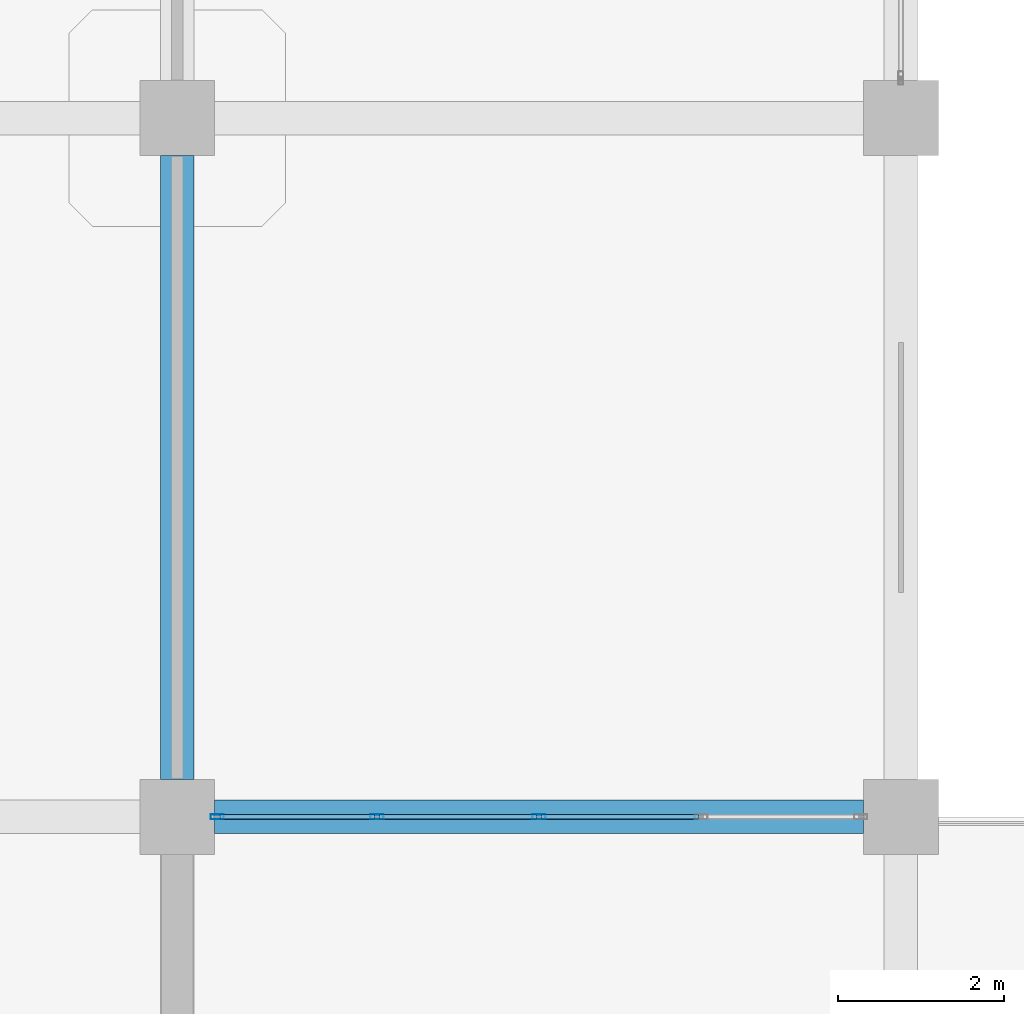
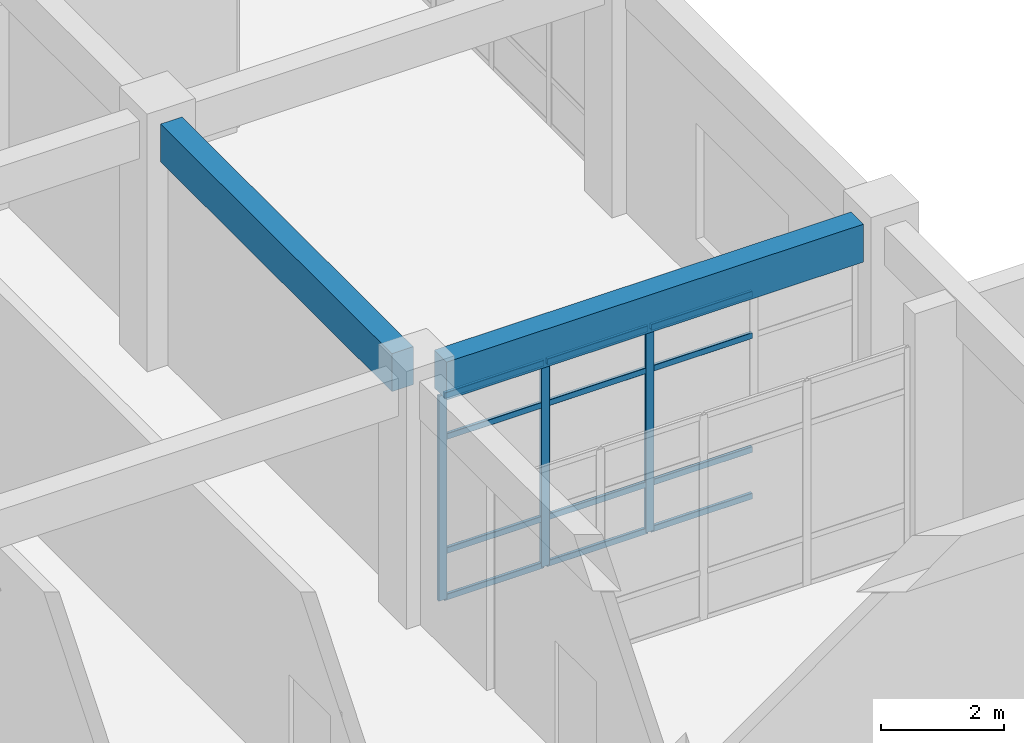
# One storey, part 44 of 120: 15 members, 2 beams, 1 element without a shape of its own.
"""IFC4 building model written with IfcOpenShell, lengths in metres."""

import ifcopenshell
import ifcopenshell.guid

model = None  # the IFC model being written
_history = None  # IfcOwnerHistory: only IFC2X3 demands one
_inside = {}  # id of a spatial element -> (the spatial element, [elements in it])
_under = {}  # id of a project, library or spatial element -> (it, [spatial elements below it])
_declared = {}  # id of a project -> (the project, [libraries it declares])
_typed = {}  # id of a type object -> (the type object, [elements of that type])
_made_of = {}  # id of a material, layer set ... -> (it, [elements and type objects made of it])


def new_model(schema):
    """Start an empty IFC model of exactly this schema.

    Asked for "IFC4X3", IfcOpenShell would pick the latest addendum, in which some entities
    have other attributes; the version numbers below select the first issue.
    IFC2X3 requires an IfcOwnerHistory on every rooted entity: one is made here for all.
    """
    global model, _history
    if schema == "IFC4X3":
        model = ifcopenshell.file(schema_version=(4, 3, 0, 0))
    else:
        model = ifcopenshell.file(schema=schema)
    _inside.clear()
    _under.clear()
    _declared.clear()
    _typed.clear()
    _made_of.clear()
    _history = None
    if model.schema == "IFC2X3":
        org = make("IfcOrganization", Name="unknown")
        user = make(
            "IfcPersonAndOrganization",
            ThePerson=make("IfcPerson", FamilyName="unknown"),
            TheOrganization=org,
        )
        app = make(
            "IfcApplication",
            ApplicationDeveloper=org,
            Version="unknown",
            ApplicationFullName="unknown",
            ApplicationIdentifier="unknown",
        )
        _history = make(
            "IfcOwnerHistory",
            OwningUser=user,
            OwningApplication=app,
            ChangeAction="ADDED",
            CreationDate=0,
        )
    return model


def make(cls, **values):
    """One entity of the class cls with the attributes given. An attribute that is None is left unset."""
    return model.create_entity(
        cls, **{name: value for name, value in values.items() if value is not None}
    )


def rooted(cls, **values):
    """An entity with a GlobalId (a new one), such as an element, a storey or a relation."""
    return make(cls, GlobalId=ifcopenshell.guid.new(), OwnerHistory=_history, **values)


def si_unit(unit_type, name, prefix=None):
    """IfcSIUnit, for example si_unit("LENGTHUNIT", "METRE", prefix="MILLI")."""
    return make("IfcSIUnit", UnitType=unit_type, Prefix=prefix, Name=name)


def derived_unit(unit_type, elements):
    """IfcDerivedUnit: a product of units, each with its exponent."""
    return make(
        "IfcDerivedUnit",
        Elements=[
            make("IfcDerivedUnitElement", Unit=unit, Exponent=power)
            for unit, power in elements
        ],
        UnitType=unit_type,
    )


def assignment(units):
    """IfcUnitAssignment: the units of a project."""
    return None if units is None else make("IfcUnitAssignment", Units=units)


def point(xyz):
    """IfcCartesianPoint."""
    return None if xyz is None else make("IfcCartesianPoint", Coordinates=xyz)


def direction(xyz):
    """IfcDirection."""
    return None if xyz is None else make("IfcDirection", DirectionRatios=xyz)


def frame(location, z_axis=None, x_axis=None):
    """IfcAxis2Placement3D, a coordinate frame: its origin and axes. An axis left out is left unset."""
    return make(
        "IfcAxis2Placement3D",
        Location=point(location),
        Axis=direction(z_axis),
        RefDirection=direction(x_axis),
    )


def frame_2d(location, x_axis=None):
    """IfcAxis2Placement2D, a coordinate frame in the plane: its origin and x axis."""
    return make(
        "IfcAxis2Placement2D", Location=point(location), RefDirection=direction(x_axis)
    )


def origin():
    """The frame at (0, 0, 0) with its axes left unset."""
    return frame((0.0, 0.0, 0.0))


def origin_2d():
    """The frame at (0, 0) in the plane with its x axis left unset."""
    return frame_2d((0.0, 0.0))


def place(relative_to, where):
    """IfcLocalPlacement: puts the frame where relative to a parent placement (None: the world)."""
    return make(
        "IfcLocalPlacement", PlacementRelTo=relative_to, RelativePlacement=where
    )


def context(
    kind, dimensions, precision=None, world=None, true_north=None, identifier=None
):
    """IfcGeometricRepresentationContext, for example the 3D "Model" context."""
    return make(
        "IfcGeometricRepresentationContext",
        ContextIdentifier=identifier,
        ContextType=kind,
        CoordinateSpaceDimension=dimensions,
        Precision=precision,
        WorldCoordinateSystem=world,
        TrueNorth=true_north,
    )


def subcontext(parent, identifier, kind, view, scale=None):
    """IfcGeometricRepresentationSubContext, for example "Body" below "Model"."""
    return make(
        "IfcGeometricRepresentationSubContext",
        ContextIdentifier=identifier,
        ContextType=kind,
        ParentContext=parent,
        TargetScale=scale,
        TargetView=view,
    )


def project(units=None, contexts=None):
    """IfcProject with its units and contexts."""
    return rooted(
        "IfcProject",
        Name="project",
        RepresentationContexts=contexts,
        UnitsInContext=assignment(units),
    )


def spatial(cls, under=None, at=None, **own):
    """A site, building, storey or space (cls), placed at a placement, below another one or the project."""
    s = rooted(cls, ObjectPlacement=at, **own)
    if under is not None:
        _under.setdefault(under.id(), (under, []))[1].append(s)
    return s


def profile(cls, at=None, kind="AREA", **sizes):
    """A parametric profile (cls). Its sizes go by their IFC names, for example OverallWidth=200.0."""
    return make(cls, ProfileType=kind, Position=at, **sizes)


def rectangle(**sizes):
    """IfcRectangleProfileDef."""
    return profile("IfcRectangleProfileDef", **sizes)


def hollow_rectangle(**sizes):
    """IfcRectangleHollowProfileDef."""
    return profile("IfcRectangleHollowProfileDef", **sizes)


def extrude(swept, where, along, depth):
    """IfcExtrudedAreaSolid: the profile swept, set in the frame where, extruded along a direction by depth."""
    return make(
        "IfcExtrudedAreaSolid",
        SweptArea=swept,
        Position=where,
        ExtrudedDirection=direction(along),
        Depth=depth,
    )


def shape(context_of_items, identifier, shape_type, items):
    """IfcShapeRepresentation: the items that make up one representation, for example the "Body"."""
    return make(
        "IfcShapeRepresentation",
        ContextOfItems=context_of_items,
        RepresentationIdentifier=identifier,
        RepresentationType=shape_type,
        Items=items,
    )


def material(Name=None, Category=None):
    """IfcMaterial."""
    return make("IfcMaterial", Name=Name, Category=Category)


def layer(
    of_material, thickness, ventilated=None, Name=None, Category=None, Priority=None
):
    """IfcMaterialLayer: one layer of a wall or slab, of a material (None: an air gap)."""
    return make(
        "IfcMaterialLayer",
        Material=of_material,
        LayerThickness=thickness,
        IsVentilated=ventilated,
        Name=Name,
        Category=Category,
        Priority=Priority,
    )


def layer_set(layers, Name=None):
    """IfcMaterialLayerSet."""
    return make("IfcMaterialLayerSet", MaterialLayers=layers, LayerSetName=Name)


def material_profile(
    of_material, cross_section, Name=None, Category=None, Priority=None
):
    """IfcMaterialProfile: a cross section and its material."""
    return make(
        "IfcMaterialProfile",
        Name=Name,
        Material=of_material,
        Profile=cross_section,
        Priority=Priority,
        Category=Category,
    )


def profile_set(profiles, Name=None, composite=None):
    """IfcMaterialProfileSet."""
    return make(
        "IfcMaterialProfileSet",
        Name=Name,
        MaterialProfiles=profiles,
        CompositeProfile=composite,
    )


def made_of(thing, what):
    """Note that an element or type object is made of a material, layer set ...; save() writes the relation."""
    if what is not None:
        _made_of.setdefault(what.id(), (what, []))[1].append(thing)
    return thing


def type_object(cls, material=None, **own):
    """A type object (cls), such as IfcWallType, which elements share."""
    return made_of(rooted(cls, **own), material)


def element(
    cls,
    number,
    at=None,
    inside=None,
    cuts=None,
    type_object=None,
    material=None,
    context=None,
    identifier="Body",
    shape_type=None,
    held_by="IfcProductDefinitionShape",
    body=None,
    shapes=None,
    **own,
):
    """One element of the class cls, such as IfcWall. Its Tag is "e" and its number.

    at: its placement. inside: the storey or other place that contains it. cuts: it is an
    opening in that element (IfcRelVoidsElement). A single representation is given by context,
    identifier, shape_type and body (its items); several are given by shapes. held_by: the class
    of the entity that holds the representations. save() writes the other relations.
    """
    e = rooted(cls, Tag="e%d" % number, ObjectPlacement=at, **own)
    if body is not None:
        shapes = [shape(context, identifier, shape_type, body)]
    if shapes is not None:
        e.Representation = make(held_by, Representations=shapes)
    if inside is not None:
        _inside.setdefault(inside.id(), (inside, []))[1].append(e)
    if cuts is not None:
        rooted(
            "IfcRelVoidsElement", RelatingBuildingElement=cuts, RelatedOpeningElement=e
        )
    if type_object is not None:
        _typed.setdefault(type_object.id(), (type_object, []))[1].append(e)
    return made_of(e, material)


def aggregate(whole, parts):
    """IfcRelAggregates: a whole, such as a stair, and the parts it consists of."""
    return rooted("IfcRelAggregates", RelatingObject=whole, RelatedObjects=parts)


def save(model, path):
    """Write the relations noted so far, then the file.

    IfcRelAggregates (storeys below a building ...), IfcRelContainedInSpatialStructure (elements
    in a storey), IfcRelDefinesByType, IfcRelAssociatesMaterial and IfcRelDeclares: one each for
    every whole, place, type object, material and project.
    """
    for whole, parts in _under.values():
        aggregate(whole, parts)
    for where, things in _inside.values():
        rooted(
            "IfcRelContainedInSpatialStructure",
            RelatedElements=things,
            RelatingStructure=where,
        )
    for kind, things in _typed.values():
        rooted("IfcRelDefinesByType", RelatedObjects=things, RelatingType=kind)
    for what, things in _made_of.values():
        rooted("IfcRelAssociatesMaterial", RelatedObjects=things, RelatingMaterial=what)
    for by, libraries in _declared.values():
        rooted("IfcRelDeclares", RelatingContext=by, RelatedDefinitions=libraries)
    model.write(path)


model = new_model("IFC4")

# Units and contexts
model_context = context("Model", 3, precision=1e-05, world=origin(), true_north=direction((0.0, 1.0)))
body_context = subcontext(model_context, "Body", "Model", "MODEL_VIEW")
ifc_project = project(units=[si_unit("LENGTHUNIT", "METRE"), si_unit("AREAUNIT", "SQUARE_METRE"), si_unit("VOLUMEUNIT", "CUBIC_METRE"), si_unit("PLANEANGLEUNIT", "RADIAN"), si_unit("MASSUNIT", "GRAM", prefix="KILO"), derived_unit("THERMALTRANSMITTANCEUNIT", [(si_unit("MASSUNIT", "GRAM", prefix="KILO"), 1), (si_unit("TIMEUNIT", "SECOND"), -3), (si_unit("THERMODYNAMICTEMPERATUREUNIT", "KELVIN"), -1)])], contexts=[model_context])

# Site, building, storey
site_placement = place(None, origin())
site = spatial("IfcSite", under=ifc_project, at=site_placement, CompositionType="ELEMENT")
building_placement = place(site_placement, origin())
building = spatial("IfcBuilding", under=site, at=building_placement, Name="Qinzheling Arcade Emporium", CompositionType="ELEMENT")
storey_placement = place(building_placement, frame((0.0, 0.0, 11.39990234375)))
storey = spatial("IfcBuildingStorey", under=building, at=storey_placement, Name="L03", CompositionType="ELEMENT", Elevation=11.39990234375)

# Curtain wall, members
ifc_material_1 = material(Name="Anodised aluminium and solar-control double glazing", Category="aluminium")
ifc_layer = layer(ifc_material_1, 0.159912109375, Name="Anodised aluminium and solar-control double glazing", Category="aluminium")
ifc_layer_set = layer_set([ifc_layer], Name="Anodised aluminium and solar-control double glazing")
curtain_wall_type = type_object("IfcCurtainWallType", Name="Food Hall Loggia Curtain Wall", PredefinedType="NOTDEFINED", material=ifc_layer_set)
curtain_wall_placement = place(storey_placement, origin())
curtain_wall = element("IfcCurtainWall", 1, at=curtain_wall_placement, inside=storey, type_object=curtain_wall_type, Name="Curtain Wall CW-L03-204", PredefinedType="NOTDEFINED")
ifc_material_2 = material(Name="Anodised aluminium 6063-T6", Category="aluminium")
ifc_material_profile_1 = material_profile(ifc_material_2, hollow_rectangle(XDim=0.06005859375, YDim=0.159912109375, WallThickness=0.00390625, InnerFilletRadius=0.00390625, OuterFilletRadius=0.008056640625, at=origin_2d()), Name="RHS 160x60x4", Category="aluminium")
ifc_profile_set_1 = profile_set([ifc_material_profile_1], Name="Anodised aluminium 6063-T6")
member_type_1 = type_object("IfcMemberType", Name="Curtain Wall Mullion RHS160x60", PredefinedType="MULLION", material=ifc_profile_set_1)
member_1_placement = place(storey_placement, frame((126.14990234375, 33.60009765625, 0.0), z_axis=(0.0, 0.0, 1.0), x_axis=(0.0, -1.0, 0.0)))
member_1 = element("IfcMember", 2, at=member_1_placement, type_object=member_type_1, Name="CW04 mullion 3", PredefinedType="MULLION", context=body_context, shape_type="SweptSolid", body=[
    extrude(hollow_rectangle(XDim=0.06005859375, YDim=0.159912109375, WallThickness=0.00390625, InnerFilletRadius=0.00390625, OuterFilletRadius=0.008056640625, at=origin_2d()), origin(), (0.0, 0.0, 1.0), 4.05517578125),
])
member_2_placement = place(storey_placement, frame((124.200927734375, 33.60009765625, 0.0), z_axis=(0.0, 0.0, 1.0), x_axis=(0.0, -1.0, 0.0)))
member_2 = element("IfcMember", 3, at=member_2_placement, type_object=member_type_1, Name="CW04 mullion 4", PredefinedType="MULLION", context=body_context, shape_type="SweptSolid", body=[
    extrude(hollow_rectangle(XDim=0.06005859375, YDim=0.159912109375, WallThickness=0.00390625, InnerFilletRadius=0.00390625, OuterFilletRadius=0.008056640625, at=origin_2d()), origin(), (0.0, 0.0, 1.0), 4.05517578125),
])
member_3_placement = place(storey_placement, frame((122.281982421875, 33.60009765625, 0.0), z_axis=(0.0, 0.0, 1.0), x_axis=(0.0, -1.0, 0.0)))
member_3 = element("IfcMember", 4, at=member_3_placement, type_object=member_type_1, Name="CW04 mullion 5", PredefinedType="MULLION", context=body_context, shape_type="SweptSolid", body=[
    extrude(hollow_rectangle(XDim=0.06005859375, YDim=0.159912109375, WallThickness=0.00390625, InnerFilletRadius=0.00390625, OuterFilletRadius=0.008056640625, at=origin_2d()), origin(), (0.0, 0.0, 1.0), 4.05517578125),
])
ifc_material_profile_2 = material_profile(ifc_material_2, hollow_rectangle(XDim=0.06005859375, YDim=0.1201171875, WallThickness=0.00390625, InnerFilletRadius=0.00390625, OuterFilletRadius=0.008056640625, at=origin_2d()), Name="RHS 120x60x4", Category="aluminium")
ifc_profile_set_2 = profile_set([ifc_material_profile_2], Name="Anodised aluminium 6063-T6")
member_type_2 = type_object("IfcMemberType", Name="Curtain Wall Transom RHS120x60", PredefinedType="USERDEFINED", material=ifc_profile_set_2)
member_4_placement = place(storey_placement, frame((128.069091796875, 33.60009765625, 0.030029296875), z_axis=(-1.0, 0.0, 0.0), x_axis=(0.0, -1.0, 0.0)))
member_4 = element("IfcMember", 5, at=member_4_placement, type_object=member_type_2, Name="CW04 transom 2.1", ObjectType="TRANSOM", PredefinedType="USERDEFINED", context=body_context, shape_type="SweptSolid", body=[
    extrude(hollow_rectangle(XDim=0.06005859375, YDim=0.1201171875, WallThickness=0.00390625, InnerFilletRadius=0.00390625, OuterFilletRadius=0.008056640625, at=origin_2d()), origin(), (0.0, 0.0, 1.0), 1.88916015625),
])
member_5_placement = place(storey_placement, frame((128.069091796875, 33.60009765625, 0.9501953125), z_axis=(-1.0, 0.0, 0.0), x_axis=(0.0, -1.0, 0.0)))
member_5 = element("IfcMember", 6, at=member_5_placement, type_object=member_type_2, Name="CW04 transom 2.2", ObjectType="TRANSOM", PredefinedType="USERDEFINED", context=body_context, shape_type="SweptSolid", body=[
    extrude(hollow_rectangle(XDim=0.06005859375, YDim=0.1201171875, WallThickness=0.00390625, InnerFilletRadius=0.00390625, OuterFilletRadius=0.008056640625, at=origin_2d()), origin(), (0.0, 0.0, 1.0), 1.88916015625),
])
member_6_placement = place(storey_placement, frame((128.069091796875, 33.60009765625, 3.205078125), z_axis=(-1.0, 0.0, 0.0), x_axis=(0.0, -1.0, 0.0)))
member_6 = element("IfcMember", 7, at=member_6_placement, type_object=member_type_2, Name="CW04 transom 2.3", ObjectType="TRANSOM", PredefinedType="USERDEFINED", context=body_context, shape_type="SweptSolid", body=[
    extrude(hollow_rectangle(XDim=0.06005859375, YDim=0.1201171875, WallThickness=0.00390625, InnerFilletRadius=0.00390625, OuterFilletRadius=0.008056640625, at=origin_2d()), origin(), (0.0, 0.0, 1.0), 1.88916015625),
])
member_7_placement = place(storey_placement, frame((128.069091796875, 33.60009765625, 4.025146484375), z_axis=(-1.0, 0.0, 0.0), x_axis=(0.0, -1.0, 0.0)))
member_7 = element("IfcMember", 8, at=member_7_placement, type_object=member_type_2, Name="CW04 transom 2.4", ObjectType="TRANSOM", PredefinedType="USERDEFINED", context=body_context, shape_type="SweptSolid", body=[
    extrude(hollow_rectangle(XDim=0.06005859375, YDim=0.1201171875, WallThickness=0.00390625, InnerFilletRadius=0.00390625, OuterFilletRadius=0.008056640625, at=origin_2d()), origin(), (0.0, 0.0, 1.0), 1.88916015625),
])
member_8_placement = place(storey_placement, frame((126.1201171875, 33.60009765625, 0.030029296875), z_axis=(-1.0, 0.0, 0.0), x_axis=(0.0, -1.0, 0.0)))
member_8 = element("IfcMember", 9, at=member_8_placement, type_object=member_type_2, Name="CW04 transom 3.1", ObjectType="TRANSOM", PredefinedType="USERDEFINED", context=body_context, shape_type="SweptSolid", body=[
    extrude(hollow_rectangle(XDim=0.06005859375, YDim=0.1201171875, WallThickness=0.00390625, InnerFilletRadius=0.00390625, OuterFilletRadius=0.008056640625, at=origin_2d()), origin(), (0.0, 0.0, 1.0), 1.88916015625),
])
member_9_placement = place(storey_placement, frame((126.1201171875, 33.60009765625, 0.9501953125), z_axis=(-1.0, 0.0, 0.0), x_axis=(0.0, -1.0, 0.0)))
member_9 = element("IfcMember", 10, at=member_9_placement, type_object=member_type_2, Name="CW04 transom 3.2", ObjectType="TRANSOM", PredefinedType="USERDEFINED", context=body_context, shape_type="SweptSolid", body=[
    extrude(hollow_rectangle(XDim=0.06005859375, YDim=0.1201171875, WallThickness=0.00390625, InnerFilletRadius=0.00390625, OuterFilletRadius=0.008056640625, at=origin_2d()), origin(), (0.0, 0.0, 1.0), 1.88916015625),
])
member_10_placement = place(storey_placement, frame((126.1201171875, 33.60009765625, 3.205078125), z_axis=(-1.0, 0.0, 0.0), x_axis=(0.0, -1.0, 0.0)))
member_10 = element("IfcMember", 11, at=member_10_placement, type_object=member_type_2, Name="CW04 transom 3.3", ObjectType="TRANSOM", PredefinedType="USERDEFINED", context=body_context, shape_type="SweptSolid", body=[
    extrude(hollow_rectangle(XDim=0.06005859375, YDim=0.1201171875, WallThickness=0.00390625, InnerFilletRadius=0.00390625, OuterFilletRadius=0.008056640625, at=origin_2d()), origin(), (0.0, 0.0, 1.0), 1.88916015625),
])
member_11_placement = place(storey_placement, frame((126.1201171875, 33.60009765625, 4.025146484375), z_axis=(-1.0, 0.0, 0.0), x_axis=(0.0, -1.0, 0.0)))
member_11 = element("IfcMember", 12, at=member_11_placement, type_object=member_type_2, Name="CW04 transom 3.4", ObjectType="TRANSOM", PredefinedType="USERDEFINED", context=body_context, shape_type="SweptSolid", body=[
    extrude(hollow_rectangle(XDim=0.06005859375, YDim=0.1201171875, WallThickness=0.00390625, InnerFilletRadius=0.00390625, OuterFilletRadius=0.008056640625, at=origin_2d()), origin(), (0.0, 0.0, 1.0), 1.88916015625),
])
member_12_placement = place(storey_placement, frame((124.1708984375, 33.60009765625, 0.030029296875), z_axis=(-1.0, 0.0, 0.0), x_axis=(0.0, -1.0, 0.0)))
member_12 = element("IfcMember", 13, at=member_12_placement, type_object=member_type_2, Name="CW04 transom 4.1", ObjectType="TRANSOM", PredefinedType="USERDEFINED", context=body_context, shape_type="SweptSolid", body=[
    extrude(hollow_rectangle(XDim=0.06005859375, YDim=0.1201171875, WallThickness=0.00390625, InnerFilletRadius=0.00390625, OuterFilletRadius=0.008056640625, at=origin_2d()), origin(), (0.0, 0.0, 1.0), 1.85888671875),
])
member_13_placement = place(storey_placement, frame((124.1708984375, 33.60009765625, 0.9501953125), z_axis=(-1.0, 0.0, 0.0), x_axis=(0.0, -1.0, 0.0)))
member_13 = element("IfcMember", 14, at=member_13_placement, type_object=member_type_2, Name="CW04 transom 4.2", ObjectType="TRANSOM", PredefinedType="USERDEFINED", context=body_context, shape_type="SweptSolid", body=[
    extrude(hollow_rectangle(XDim=0.06005859375, YDim=0.1201171875, WallThickness=0.00390625, InnerFilletRadius=0.00390625, OuterFilletRadius=0.008056640625, at=origin_2d()), origin(), (0.0, 0.0, 1.0), 1.85888671875),
])
member_14_placement = place(storey_placement, frame((124.1708984375, 33.60009765625, 3.205078125), z_axis=(-1.0, 0.0, 0.0), x_axis=(0.0, -1.0, 0.0)))
member_14 = element("IfcMember", 15, at=member_14_placement, type_object=member_type_2, Name="CW04 transom 4.3", ObjectType="TRANSOM", PredefinedType="USERDEFINED", context=body_context, shape_type="SweptSolid", body=[
    extrude(hollow_rectangle(XDim=0.06005859375, YDim=0.1201171875, WallThickness=0.00390625, InnerFilletRadius=0.00390625, OuterFilletRadius=0.008056640625, at=origin_2d()), origin(), (0.0, 0.0, 1.0), 1.85888671875),
])
member_15_placement = place(storey_placement, frame((124.1708984375, 33.60009765625, 4.025146484375), z_axis=(-1.0, 0.0, 0.0), x_axis=(0.0, -1.0, 0.0)))
member_15 = element("IfcMember", 16, at=member_15_placement, type_object=member_type_2, Name="CW04 transom 4.4", ObjectType="TRANSOM", PredefinedType="USERDEFINED", context=body_context, shape_type="SweptSolid", body=[
    extrude(hollow_rectangle(XDim=0.06005859375, YDim=0.1201171875, WallThickness=0.00390625, InnerFilletRadius=0.00390625, OuterFilletRadius=0.008056640625, at=origin_2d()), origin(), (0.0, 0.0, 1.0), 1.85888671875),
])
aggregate(curtain_wall, [member_1, member_2, member_3, member_4, member_5, member_6, member_7, member_8, member_9, member_10, member_11, member_12, member_13, member_14, member_15])

# Beams
ifc_material_3 = material(Name="Concrete C40", Category="concrete")
ifc_material_profile_3 = material_profile(ifc_material_3, rectangle(XDim=0.39990234375, YDim=0.75, at=origin_2d()), Name="RC 400x750", Category="concrete")
ifc_profile_set_3 = profile_set([ifc_material_profile_3], Name="Concrete C40")
beam_type = type_object("IfcBeamType", Name="RC Interior Tie Beam 400x750 C40", PredefinedType="BEAM", material=ifc_profile_set_3)
beam_1_placement = place(storey_placement, frame((122.25, 33.60009765625, 4.445068359375), z_axis=(1.0, 0.0, 0.0), x_axis=(0.0, 1.0, 0.0)))
element("IfcBeam", 17, at=beam_1_placement, inside=storey, type_object=beam_type, Name="Beam BM-L03-X-E-15", PredefinedType="BEAM", context=body_context, shape_type="SweptSolid", body=[
    extrude(rectangle(XDim=0.39990234375, YDim=0.75, at=origin_2d()), origin(), (0.0, 0.0, 1.0), 7.800048828125),
])
beam_2_placement = place(storey_placement, frame((121.800048828125, 34.050048828125, 4.445068359375), z_axis=(0.0, 1.0, 0.0), x_axis=(-1.0, 0.0, 0.0)))
element("IfcBeam", 18, at=beam_2_placement, inside=storey, type_object=beam_type, Name="Beam BM-L03-Y-15-E", PredefinedType="BEAM", context=body_context, shape_type="SweptSolid", body=[
    extrude(rectangle(XDim=0.39990234375, YDim=0.75, at=origin_2d()), origin(), (0.0, 0.0, 1.0), 7.5),
])

save(model, "model.ifc")
